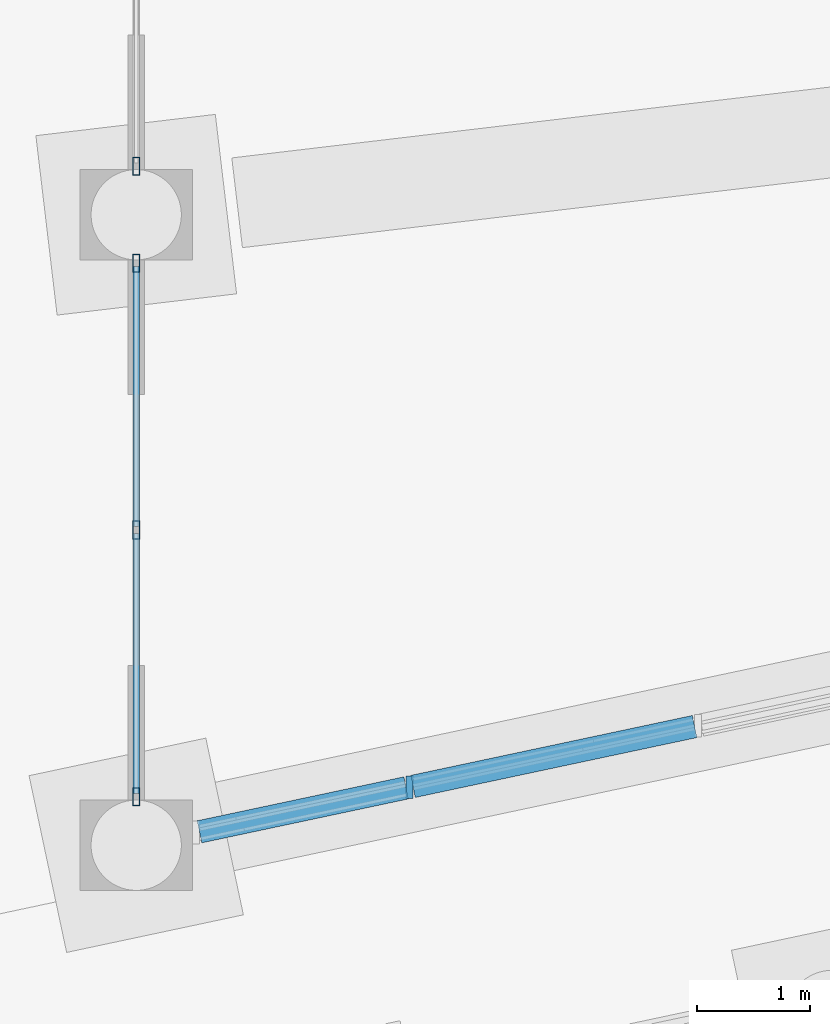
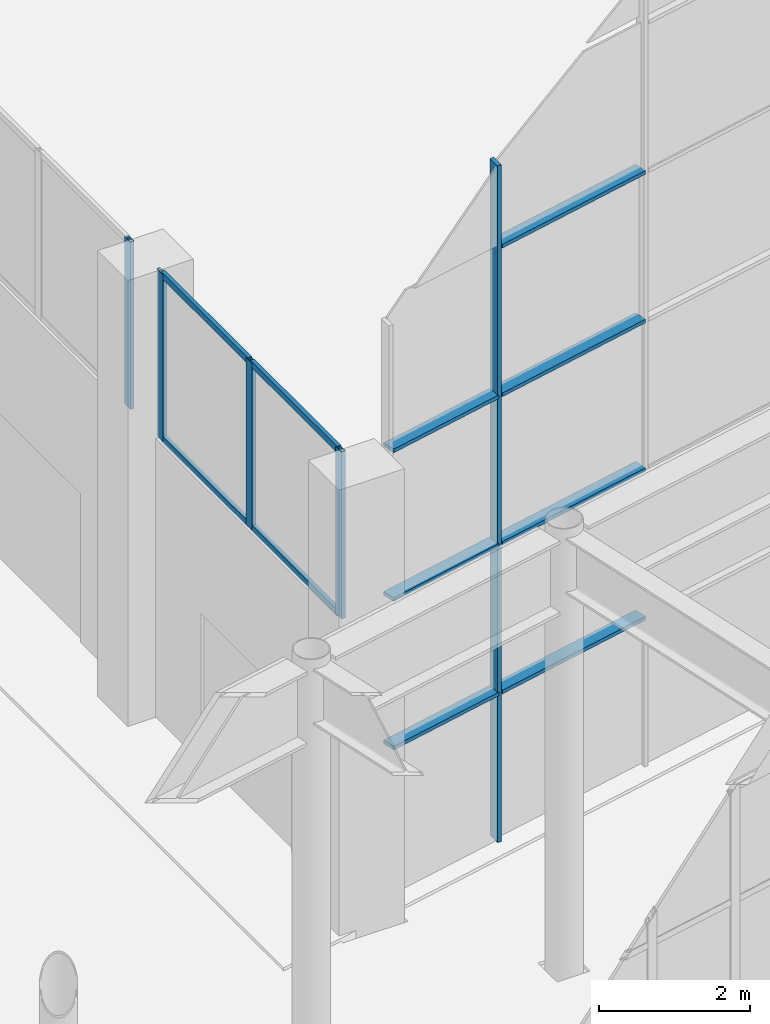
# One storey, part 101 of 239: 16 members, 3 elements without a shape of their own.
"""IFC4 building model written with IfcOpenShell, lengths in metres."""

from ifc_helpers import new_model, si_unit, direction, frame, origin, origin_2d, place, context, subcontext, project, spatial, rectangle, hollow_rectangle, extrude, material, material_profile, profile_set, type_object, element, aggregate, save


model = new_model("IFC4")

# Units and contexts
model_context = context("Model", 3, precision=1e-05, world=origin(), true_north=direction((0.0, 1.0)))
body_context = subcontext(model_context, "Body", "Model", "MODEL_VIEW")
ifc_project = project(units=[si_unit("LENGTHUNIT", "METRE"), si_unit("AREAUNIT", "SQUARE_METRE"), si_unit("VOLUMEUNIT", "CUBIC_METRE"), si_unit("PLANEANGLEUNIT", "RADIAN"), si_unit("MASSUNIT", "GRAM", prefix="KILO")], contexts=[model_context])

# Site, building, storey
site_placement = place(None, origin())
site = spatial("IfcSite", under=ifc_project, at=site_placement, CompositionType="ELEMENT")
building_placement = place(site_placement, origin())
building = spatial("IfcBuilding", under=site, at=building_placement, Name="Okhra Congress Centre", CompositionType="ELEMENT")
storey_placement = place(building_placement, origin())
storey = spatial("IfcBuildingStorey", under=building, at=storey_placement, Name="L00", CompositionType="ELEMENT", Elevation=0.0)

# Curtain wall, members
ifc_material_1 = material(Name="Aluminium frame with triple glazing", Category="aluminium")
curtain_wall_type_1 = type_object("IfcCurtainWallType", Name="Glazed gable curtain wall", PredefinedType="NOTDEFINED", material=ifc_material_1)
curtain_wall_1_placement = place(storey_placement, origin())
curtain_wall_1 = element("IfcCurtainWall", 1, at=curtain_wall_1_placement, inside=storey, type_object=curtain_wall_type_1, Name="South gable glazing", PredefinedType="NOTDEFINED")
ifc_material_2 = material(Name="Aluminium alloy 6063", Category="aluminium")
ifc_material_profile_1 = material_profile(ifc_material_2, rectangle(XDim=0.06005859375, YDim=0.199951171875, at=origin_2d()), Name="AL 60x200 gable")
ifc_profile_set_1 = profile_set([ifc_material_profile_1], Name="Aluminium alloy 6063")
member_type_1 = type_object("IfcMemberType", Name="Aluminium gable mullion 60x200", PredefinedType="MULLION", material=ifc_profile_set_1)
member_1_placement = place(storey_placement, frame((157.9208984375, 74.76171875, 0.0), z_axis=(0.0, 0.0, 1.0), x_axis=(1.0, 0.0, 0.0)))
member_1 = element("IfcMember", 2, at=member_1_placement, type_object=member_type_1, Name="South gable glazing mullion 2", PredefinedType="MULLION", context=body_context, shape_type="SweptSolid", body=[
    extrude(rectangle(XDim=0.06005859375, YDim=0.199951171875, at=origin_2d()), origin(), (0.0, 0.0, 1.0), 10.93212890625),
])
ifc_material_profile_2 = material_profile(ifc_material_2, rectangle(XDim=0.199951171875, YDim=0.06005859375, at=origin_2d()), Name="AL 200x60 gable transom")
ifc_profile_set_2 = profile_set([ifc_material_profile_2], Name="Aluminium alloy 6063")
member_type_2 = type_object("IfcMemberType", Name="Aluminium gable transom 200x60", PredefinedType="USERDEFINED", material=ifc_profile_set_2)
member_2_placement = place(storey_placement, frame((156.06005859375, 74.3662109375, 2.39990234375), z_axis=(0.978152221193, 0.207889952078, 0.0), x_axis=(-0.207889952078, 0.978152221193, 0.0)))
member_2 = element("IfcMember", 3, at=member_2_placement, type_object=member_type_2, Name="South gable glazing transom 1.1", ObjectType="TRANSOM", PredefinedType="USERDEFINED", context=body_context, shape_type="SweptSolid", body=[
    extrude(rectangle(XDim=0.199951171875, YDim=0.06005859375, at=origin_2d()), origin(), (0.0, 0.0, 1.0), 1.8720703125),
])
member_3_placement = place(storey_placement, frame((156.06005859375, 74.3662109375, 4.800048828125), z_axis=(0.978152221193, 0.207889952078, 0.0), x_axis=(-0.207889952078, 0.978152221193, 0.0)))
member_3 = element("IfcMember", 4, at=member_3_placement, type_object=member_type_2, Name="South gable glazing transom 1.2", ObjectType="TRANSOM", PredefinedType="USERDEFINED", context=body_context, shape_type="SweptSolid", body=[
    extrude(rectangle(XDim=0.199951171875, YDim=0.06005859375, at=origin_2d()), origin(), (0.0, 0.0, 1.0), 1.8720703125),
])
member_4_placement = place(storey_placement, frame((156.06005859375, 74.3662109375, 7.199951171875), z_axis=(0.978152221193, 0.207889952078, 0.0), x_axis=(-0.207889952078, 0.978152221193, 0.0)))
member_4 = element("IfcMember", 5, at=member_4_placement, type_object=member_type_2, Name="South gable glazing transom 1.3", ObjectType="TRANSOM", PredefinedType="USERDEFINED", context=body_context, shape_type="SweptSolid", body=[
    extrude(rectangle(XDim=0.199951171875, YDim=0.06005859375, at=origin_2d()), origin(), (0.0, 0.0, 1.0), 1.8720703125),
])
member_5_placement = place(storey_placement, frame((157.950927734375, 74.76806640625, 2.39990234375), z_axis=(0.978130379976, 0.207992691622, 0.0), x_axis=(-0.207992691622, 0.978130379976, 0.0)))
member_5 = element("IfcMember", 6, at=member_5_placement, type_object=member_type_2, Name="South gable glazing transom 2.1", ObjectType="TRANSOM", PredefinedType="USERDEFINED", context=body_context, shape_type="SweptSolid", body=[
    extrude(rectangle(XDim=0.199951171875, YDim=0.06005859375, at=origin_2d()), origin(), (0.0, 0.0, 1.0), 2.550537109375),
])
member_6_placement = place(storey_placement, frame((157.950927734375, 74.76806640625, 4.800048828125), z_axis=(0.978130379976, 0.207992691622, 0.0), x_axis=(-0.207992691622, 0.978130379976, 0.0)))
member_6 = element("IfcMember", 7, at=member_6_placement, type_object=member_type_2, Name="South gable glazing transom 2.2", ObjectType="TRANSOM", PredefinedType="USERDEFINED", context=body_context, shape_type="SweptSolid", body=[
    extrude(rectangle(XDim=0.199951171875, YDim=0.06005859375, at=origin_2d()), origin(), (0.0, 0.0, 1.0), 2.550537109375),
])
member_7_placement = place(storey_placement, frame((157.950927734375, 74.76806640625, 7.199951171875), z_axis=(0.978130379976, 0.207992691622, 0.0), x_axis=(-0.207992691622, 0.978130379976, 0.0)))
member_7 = element("IfcMember", 8, at=member_7_placement, type_object=member_type_2, Name="South gable glazing transom 2.3", ObjectType="TRANSOM", PredefinedType="USERDEFINED", context=body_context, shape_type="SweptSolid", body=[
    extrude(rectangle(XDim=0.199951171875, YDim=0.06005859375, at=origin_2d()), origin(), (0.0, 0.0, 1.0), 2.550537109375),
])
member_8_placement = place(storey_placement, frame((157.950927734375, 74.76806640625, 9.60009765625), z_axis=(0.978130379976, 0.207992691622, 0.0), x_axis=(-0.207992691622, 0.978130379976, 0.0)))
member_8 = element("IfcMember", 9, at=member_8_placement, type_object=member_type_2, Name="South gable glazing transom 2.4", ObjectType="TRANSOM", PredefinedType="USERDEFINED", context=body_context, shape_type="SweptSolid", body=[
    extrude(rectangle(XDim=0.199951171875, YDim=0.06005859375, at=origin_2d()), origin(), (0.0, 0.0, 1.0), 2.550537109375),
])
aggregate(curtain_wall_1, [member_1, member_2, member_3, member_4, member_5, member_6, member_7, member_8])

ifc_material_3 = material(Name="Aluminium curtain wall, triple glazing", Category="aluminium")
curtain_wall_type_2 = type_object("IfcCurtainWallType", Name="Curtain wall 2100 module", PredefinedType="NOTDEFINED", material=ifc_material_3)
curtain_wall_2_placement = place(storey_placement, origin())
curtain_wall_2 = element("IfcCurtainWall", 10, at=curtain_wall_2_placement, inside=storey, type_object=curtain_wall_type_2, Name="West bay 1 glazing above the doors", PredefinedType="NOTDEFINED")
ifc_material_4 = material(Name="Aluminium alloy EN AW-6063 T66", Category="aluminium")
ifc_material_profile_3 = material_profile(ifc_material_4, hollow_rectangle(XDim=0.06005859375, YDim=0.159912109375, WallThickness=0.00390625, at=origin_2d()), Name="RHS 60x160x4")
ifc_profile_set_3 = profile_set([ifc_material_profile_3], Name="Aluminium alloy EN AW-6063 T66")
member_type_3 = type_object("IfcMemberType", Name="Curtain wall mullion 60x160", PredefinedType="MULLION", material=ifc_profile_set_3)
member_9_placement = place(storey_placement, frame((155.5, 74.677001953125, 4.5), z_axis=(0.0, 0.0, 1.0), x_axis=(-1.0, 0.0, 0.0)))
member_9 = element("IfcMember", 11, at=member_9_placement, type_object=member_type_3, Name="CW4 mullion 1", PredefinedType="MULLION", context=body_context, shape_type="SweptSolid", body=[
    extrude(hollow_rectangle(XDim=0.06005859375, YDim=0.159912109375, WallThickness=0.00390625, at=origin_2d()), origin(), (0.0, 0.0, 1.0), 2.699951171875),
])
member_10_placement = place(storey_placement, frame((155.5, 77.039306640625, 4.5), z_axis=(0.0, 0.0, 1.0), x_axis=(-1.0, 0.0, 0.0)))
member_10 = element("IfcMember", 12, at=member_10_placement, type_object=member_type_3, Name="CW4 mullion 2", PredefinedType="MULLION", context=body_context, shape_type="SweptSolid", body=[
    extrude(hollow_rectangle(XDim=0.06005859375, YDim=0.159912109375, WallThickness=0.00390625, at=origin_2d()), origin(), (0.0, 0.0, 1.0), 2.699951171875),
])
member_11_placement = place(storey_placement, frame((155.5, 79.4013671875, 4.5), z_axis=(0.0, 0.0, 1.0), x_axis=(-1.0, 0.0, 0.0)))
member_11 = element("IfcMember", 13, at=member_11_placement, type_object=member_type_3, Name="CW4 mullion 3", PredefinedType="MULLION", context=body_context, shape_type="SweptSolid", body=[
    extrude(hollow_rectangle(XDim=0.06005859375, YDim=0.159912109375, WallThickness=0.00390625, at=origin_2d()), origin(), (0.0, 0.0, 1.0), 2.699951171875),
])

# Curtain wall, member
curtain_wall_3_placement = place(storey_placement, origin())
curtain_wall_3 = element("IfcCurtainWall", 14, at=curtain_wall_3_placement, inside=storey, type_object=curtain_wall_type_2, Name="West bay 2 glazing above the doors", PredefinedType="NOTDEFINED")
member_12_placement = place(storey_placement, frame((155.5, 80.261474609375, 4.5), z_axis=(0.0, 0.0, 1.0), x_axis=(-1.0, 0.0, 0.0)))
member_12 = element("IfcMember", 15, at=member_12_placement, type_object=member_type_3, Name="CW4 mullion 1", PredefinedType="MULLION", context=body_context, shape_type="SweptSolid", body=[
    extrude(hollow_rectangle(XDim=0.06005859375, YDim=0.159912109375, WallThickness=0.00390625, at=origin_2d()), origin(), (0.0, 0.0, 1.0), 2.699951171875),
])
aggregate(curtain_wall_3, [member_12])

# Member
ifc_material_profile_4 = material_profile(ifc_material_4, hollow_rectangle(XDim=0.06005859375, YDim=0.10009765625, WallThickness=0.00390625, at=origin_2d()), Name="RHS 60x100x4")
ifc_profile_set_4 = profile_set([ifc_material_profile_4], Name="Aluminium alloy EN AW-6063 T66")
member_type_4 = type_object("IfcMemberType", Name="Curtain wall transom 60x100", PredefinedType="USERDEFINED", material=ifc_profile_set_4)
member_13_placement = place(storey_placement, frame((155.5, 74.70703125, 4.530029296875), z_axis=(0.0, 1.0, 0.0), x_axis=(-1.0, 0.0, 0.0)))
member_13 = element("IfcMember", 16, at=member_13_placement, type_object=member_type_4, Name="CW4 transom 1.1", ObjectType="TRANSOM", PredefinedType="USERDEFINED", context=body_context, shape_type="SweptSolid", body=[
    extrude(hollow_rectangle(XDim=0.06005859375, YDim=0.10009765625, WallThickness=0.00390625, at=origin_2d()), origin(), (0.0, 0.0, 1.0), 2.30224609375),
])

member_14_placement = place(storey_placement, frame((155.5, 74.70703125, 7.169921875), z_axis=(0.0, 1.0, 0.0), x_axis=(-1.0, 0.0, 0.0)))
member_14 = element("IfcMember", 17, at=member_14_placement, type_object=member_type_4, Name="CW4 transom 1.2", ObjectType="TRANSOM", PredefinedType="USERDEFINED", context=body_context, shape_type="SweptSolid", body=[
    extrude(hollow_rectangle(XDim=0.06005859375, YDim=0.10009765625, WallThickness=0.00390625, at=origin_2d()), origin(), (0.0, 0.0, 1.0), 2.30224609375),
])

member_15_placement = place(storey_placement, frame((155.5, 77.0693359375, 4.530029296875), z_axis=(0.0, 1.0, 0.0), x_axis=(-1.0, 0.0, 0.0)))
member_15 = element("IfcMember", 18, at=member_15_placement, type_object=member_type_4, Name="CW4 transom 2.1", ObjectType="TRANSOM", PredefinedType="USERDEFINED", context=body_context, shape_type="SweptSolid", body=[
    extrude(hollow_rectangle(XDim=0.06005859375, YDim=0.10009765625, WallThickness=0.00390625, at=origin_2d()), origin(), (0.0, 0.0, 1.0), 2.302001953125),
])

member_16_placement = place(storey_placement, frame((155.5, 77.0693359375, 7.169921875), z_axis=(0.0, 1.0, 0.0), x_axis=(-1.0, 0.0, 0.0)))
member_16 = element("IfcMember", 19, at=member_16_placement, type_object=member_type_4, Name="CW4 transom 2.2", ObjectType="TRANSOM", PredefinedType="USERDEFINED", context=body_context, shape_type="SweptSolid", body=[
    extrude(hollow_rectangle(XDim=0.06005859375, YDim=0.10009765625, WallThickness=0.00390625, at=origin_2d()), origin(), (0.0, 0.0, 1.0), 2.302001953125),
])

aggregate(curtain_wall_2, [member_9, member_10, member_11, member_13, member_14, member_15, member_16])

save(model, "model.ifc")
